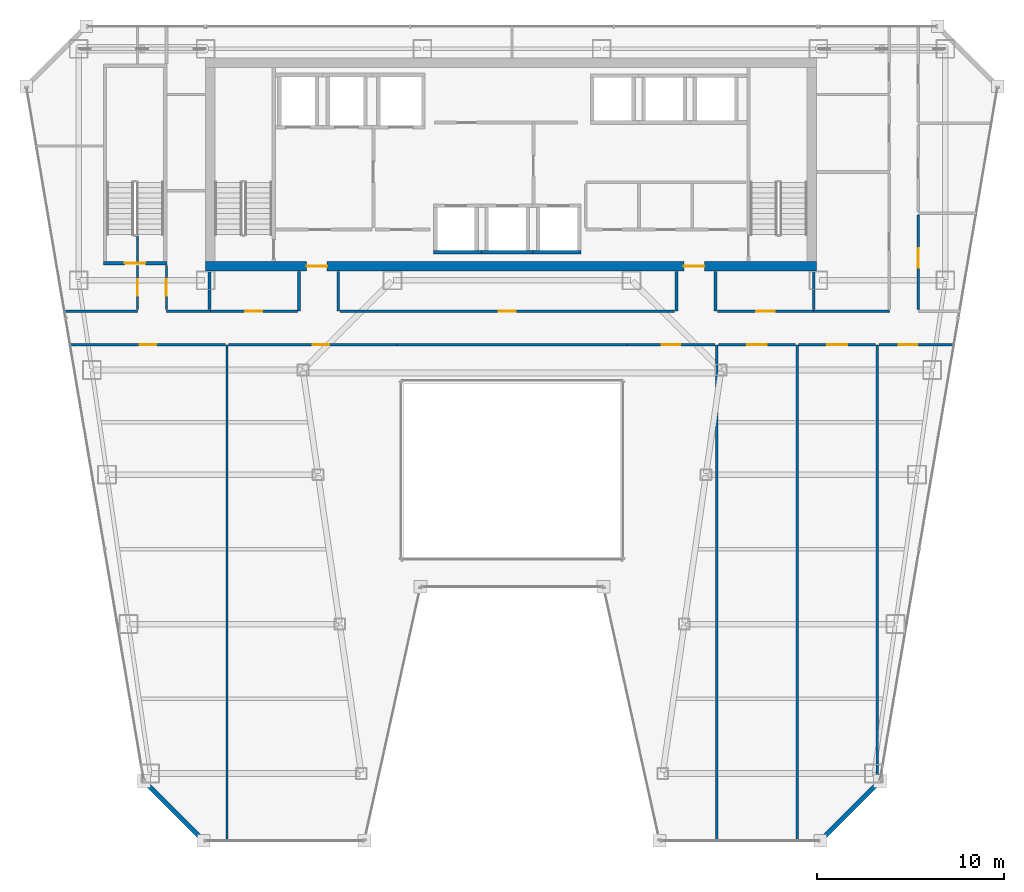
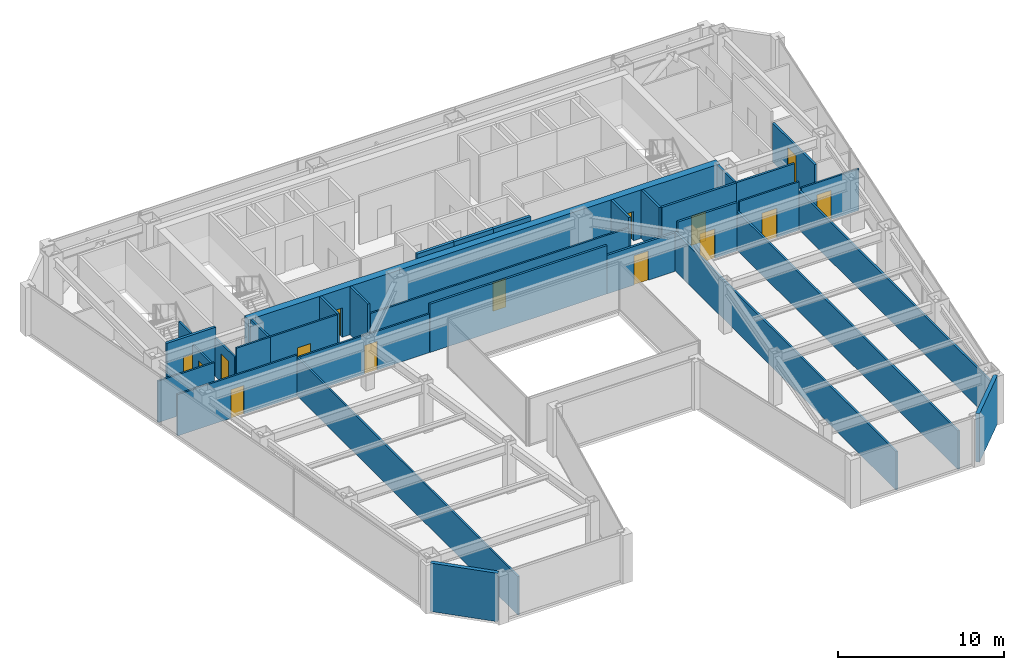
# One storey, part 30 of 36: 34 walls, 15 doors, 15 openings.
"""IFC4 building model written with IfcOpenShell, lengths in metres."""

from ifc_helpers import new_model, si_unit, direction, frame, frame_2d, origin, place, context, subcontext, project, spatial, rectangle, extrude, material, layer, layer_set, type_object, element, fill, save


model = new_model("IFC4")

# Units and contexts
model_context = context("Model", 3, precision=1e-05, world=origin(), true_north=direction((0.0, 1.0)))
body_context = subcontext(model_context, "Body", "Model", "MODEL_VIEW")
ifc_project = project(units=[si_unit("LENGTHUNIT", "METRE"), si_unit("AREAUNIT", "SQUARE_METRE"), si_unit("VOLUMEUNIT", "CUBIC_METRE"), si_unit("PLANEANGLEUNIT", "RADIAN"), si_unit("MASSUNIT", "GRAM", prefix="KILO")], contexts=[model_context])

# Site, building, storey
site_placement = place(None, origin())
site = spatial("IfcSite", under=ifc_project, at=site_placement, CompositionType="ELEMENT")
building_placement = place(site_placement, origin())
building = spatial("IfcBuilding", under=site, at=building_placement, Name="Saevonmaru Cultural Tower", CompositionType="ELEMENT")
storey_placement = place(building_placement, frame((0.0, 0.0, 171.39990234375)))
storey = spatial("IfcBuildingStorey", under=building, at=storey_placement, Name="L38", CompositionType="ELEMENT", Elevation=171.39990234375)

# Wall, openings, doors
ifc_material_1 = material(Name="Concrete C60/75", Category="concrete")
ifc_layer_1 = layer(ifc_material_1, 0.5, Name="Concrete C60/75")
ifc_layer_set_1 = layer_set([ifc_layer_1], Name="Concrete C60/75")
wall_type_1 = type_object("IfcWallType", Name="WL-CORE-500", PredefinedType="SHEAR", material=ifc_layer_set_1)
wall_1_placement = place(storey_placement, frame((13.60009765625, 43.14990234375, 0.0), z_axis=(0.0, 0.0, 1.0), x_axis=(1.0, 0.0, 0.0)))
wall_1 = element("IfcWall", 1, at=wall_1_placement, inside=storey, type_object=wall_type_1, Name="L38 Tower RC core shear wall S", PredefinedType="SHEAR", context=body_context, shape_type="SweptSolid", body=[
    extrude(rectangle(XDim=32.699951171875, YDim=0.5, at=frame_2d((16.35009765625, 0.0))), origin(), (0.0, 0.0, 1.0), 3.550048828125),
])
opening_1_placement = place(wall_1_placement, frame((5.39990234375, 0.0, 0.0)))
opening_1 = element("IfcOpeningElement", 2, at=opening_1_placement, cuts=wall_1, Name="Opening FD-2", PredefinedType="OPENING", context=body_context, shape_type="SweptSolid", body=[
    extrude(rectangle(XDim=1.10009765625, YDim=2.14990234375, at=frame_2d((0.550048828125, 1.074951171875))), frame((0.0, 0.260009765625, 0.0), z_axis=(0.0, -1.0, 0.0), x_axis=(1.0, 0.0, 0.0)), (0.0, 0.0, 1.0), 0.52001953125),
])
opening_2_placement = place(wall_1_placement, frame((25.60009765625, 0.0, 0.0)))
opening_2 = element("IfcOpeningElement", 3, at=opening_2_placement, cuts=wall_1, Name="Opening FD-2", PredefinedType="OPENING", context=body_context, shape_type="SweptSolid", body=[
    extrude(rectangle(XDim=1.10009765625, YDim=2.14990234375, at=frame_2d((0.550048828125, 1.074951171875))), frame((0.0, 0.260009765625, 0.0), z_axis=(0.0, -1.0, 0.0), x_axis=(1.0, 0.0, 0.0)), (0.0, 0.0, 1.0), 0.52001953125),
])
ifc_material_2 = material(Name="Satin Bronze Anodised Aluminium", Category="aluminium")
door_type_1 = type_object("IfcDoorType", Name="DR-FD60-1100", OperationType="SINGLE_SWING_LEFT", PredefinedType="DOOR", material=ifc_material_2)
door_1_placement = place(opening_1_placement, origin())
door_1 = element("IfcDoor", 4, at=door_1_placement, inside=storey, type_object=door_type_1, Name="L38 Core West Lobby Fire Door", OperationType="SINGLE_SWING_LEFT", OverallHeight=2.14990234375, OverallWidth=1.10009765625, PredefinedType="DOOR", context=body_context, shape_type="SweptSolid", body=[
    extrude(rectangle(XDim=1.10009765625, YDim=2.14990234375, at=frame_2d((0.550048828125, 1.074951171875))), frame((0.0, 0.02490234375, 0.0), z_axis=(0.0, -1.0, 0.0), x_axis=(1.0, 0.0, 0.0)), (0.0, 0.0, 1.0), 0.050048828125),
])
fill(opening_1, door_1)
door_2_placement = place(opening_2_placement, origin())
door_2 = element("IfcDoor", 5, at=door_2_placement, inside=storey, type_object=door_type_1, Name="L38 Core East Lobby Fire Door", OperationType="SINGLE_SWING_LEFT", OverallHeight=2.14990234375, OverallWidth=1.10009765625, PredefinedType="DOOR", context=body_context, shape_type="SweptSolid", body=[
    extrude(rectangle(XDim=1.10009765625, YDim=2.14990234375, at=frame_2d((0.550048828125, 1.074951171875))), frame((0.0, 0.02490234375, 0.0), z_axis=(0.0, -1.0, 0.0), x_axis=(1.0, 0.0, 0.0)), (0.0, 0.0, 1.0), 0.050048828125),
])
fill(opening_2, door_2)

# Walls
ifc_material_3 = material(Name="Granite-Clad Precast Concrete C40/50", Category="masonry")
ifc_layer_2 = layer(ifc_material_3, 0.260009765625, Name="Granite-Clad Precast Concrete C40/50")
ifc_layer_set_2 = layer_set([ifc_layer_2], Name="Granite-Clad Precast Concrete C40/50")
wall_type_2 = type_object("IfcWallType", Name="WL-EXT-SPANDREL-260", PredefinedType="STANDARD", material=ifc_layer_set_2)
for number, where, z_axis, x_axis, name in (
    (6, (10.410888671875, 15.48681640625, 0.0), (0.0, 0.0, 1.0), (0.707135806771, -0.70707775441, 0.0), "L38 Chamfer Corner Spandrel Wall E1"),
    (7, (46.615234375, 12.51318359375, 0.0), (0.0, 0.0, 1.0), (0.707135806771, 0.70707775441, 0.0), "L38 Chamfer Corner Spandrel Wall E7"),
):
    element("IfcWall", number, at=place(storey_placement, frame(where, z_axis=z_axis, x_axis=x_axis)), inside=storey, type_object=wall_type_2, Name=name, PredefinedType="STANDARD", context=body_context, shape_type="SweptSolid", body=[
        extrude(rectangle(XDim=4.20556640625, YDim=0.260009765625, at=frame_2d((2.102783203125, 0.0))), origin(), (0.0, 0.0, 1.0), 3.550048828125),
    ])

# Wall, opening, door
ifc_material_4 = material(Name="Gypsum Fireboard Partition", Category="gypsum")
ifc_layer_3 = layer(ifc_material_4, 0.14990234375, Name="Gypsum Fireboard Partition")
ifc_layer_set_3 = layer_set([ifc_layer_3], Name="Gypsum Fireboard Partition")
wall_type_3 = type_object("IfcWallType", Name="WL-PART-FIRE-150", PredefinedType="PARTITIONING", material=ifc_layer_set_3)
wall_2_placement = place(storey_placement, frame((51.75, 40.83740234375, 0.0), z_axis=(0.0, 0.0, 1.0), x_axis=(0.0, 1.0, 0.0)))
wall_2 = element("IfcWall", 8, at=wall_2_placement, inside=storey, type_object=wall_type_3, Name="L38 Visual Arts Critique Gallery Corridor Wall", PredefinedType="PARTITIONING", context=body_context, shape_type="SweptSolid", body=[
    extrude(rectangle(XDim=5.0751953125, YDim=0.14990234375, at=frame_2d((2.53759765625, 0.0))), origin(), (0.0, 0.0, 1.0), 2.835205078125),
])
opening_3_placement = place(wall_2_placement, frame((2.23291015625, 0.0, 0.0)))
opening_3 = element("IfcOpeningElement", 9, at=opening_3_placement, cuts=wall_2, Name="Opening ID-1", PredefinedType="OPENING", context=body_context, shape_type="SweptSolid", body=[
    extrude(rectangle(XDim=1.050048828125, YDim=2.14990234375, at=frame_2d((0.52490234375, 1.074951171875))), frame((0.0, 0.0849609375, 0.0), z_axis=(0.0, -1.0, 0.0), x_axis=(1.0, 0.0, 0.0)), (0.0, 0.0, 1.0), 0.169921875),
])
door_type_2 = type_object("IfcDoorType", Name="DR-INT-1050", OperationType="SINGLE_SWING_LEFT", PredefinedType="DOOR", material=ifc_material_2)
door_3_placement = place(opening_3_placement, origin())
door_3 = element("IfcDoor", 10, at=door_3_placement, inside=storey, type_object=door_type_2, Name="L38 Visual Arts Critique Gallery Door", OperationType="SINGLE_SWING_LEFT", OverallHeight=2.14990234375, OverallWidth=1.050048828125, PredefinedType="DOOR", context=body_context, shape_type="SweptSolid", body=[
    extrude(rectangle(XDim=1.050048828125, YDim=2.14990234375, at=frame_2d((0.52490234375, 1.074951171875))), frame((0.0, 0.02490234375, 0.0), z_axis=(0.0, -1.0, 0.0), x_axis=(1.0, 0.0, 0.0)), (0.0, 0.0, 1.0), 0.050048828125),
])
fill(opening_3, door_3)

# Walls
wall_3_placement = place(storey_placement, frame((13.800048828125, 40.830078125, 0.0), z_axis=(0.0, 0.0, 1.0), x_axis=(0.0, 1.0, 0.0)))
element("IfcWall", 11, at=wall_3_placement, inside=storey, type_object=wall_type_3, Name="L38 Core Portal Side Wall W0", PredefinedType="PARTITIONING", context=body_context, shape_type="SweptSolid", body=[
    extrude(rectangle(XDim=2.0498046875, YDim=0.14990234375, at=frame_2d((1.02490234375, 0.0))), origin(), (0.0, 0.0, 1.0), 3.550048828125),
])
for number, where, z_axis, x_axis, name in (
    (12, (18.60009765625, 40.75, 0.0), (0.0, 0.0, 1.0), (0.0, 1.0, 0.0), "L38 Core Portal Side Wall W1"),
    (13, (20.699951171875, 40.75, 0.0), (0.0, 0.0, 1.0), (0.0, 1.0, 0.0), "L38 Core Portal Side Wall W2"),
    (14, (38.800048828125, 40.75, 0.0), (0.0, 0.0, 1.0), (0.0, 1.0, 0.0), "L38 Core Portal Side Wall E1"),
    (15, (40.89990234375, 40.75, 0.0), (0.0, 0.0, 1.0), (0.0, 1.0, 0.0), "L38 Core Portal Side Wall E2"),
):
    element("IfcWall", number, at=place(storey_placement, frame(where, z_axis=z_axis, x_axis=x_axis)), inside=storey, type_object=wall_type_3, Name=name, PredefinedType="PARTITIONING", context=body_context, shape_type="SweptSolid", body=[
        extrude(rectangle(XDim=2.1298828125, YDim=0.14990234375, at=frame_2d((1.06494140625, 0.0))), origin(), (0.0, 0.0, 1.0), 3.550048828125),
    ])

# Wall, opening, door
wall_4_placement = place(storey_placement, frame((40.9951171875, 40.75, 0.0), z_axis=(0.0, 0.0, 1.0), x_axis=(1.0, 0.0, 0.0)))
wall_4 = element("IfcWall", 16, at=wall_4_placement, inside=storey, type_object=wall_type_3, Name="L38 Media Screening Auditorium Corridor Wall", PredefinedType="PARTITIONING", context=body_context, shape_type="SweptSolid", body=[
    extrude(rectangle(XDim=5.15478515625, YDim=0.14990234375, at=frame_2d((2.577392578125, 0.0))), origin(), (0.0, 0.0, 1.0), 3.550048828125),
])
opening_4_placement = place(wall_4_placement, frame((2.077880859375, 0.0, 0.0)))
opening_4 = element("IfcOpeningElement", 17, at=opening_4_placement, cuts=wall_4, Name="Opening ID-1B", PredefinedType="OPENING", context=body_context, shape_type="SweptSolid", body=[
    extrude(rectangle(XDim=1.0, YDim=2.14990234375, at=frame_2d((0.5, 1.074951171875))), frame((0.0, 0.0849609375, 0.0), z_axis=(0.0, -1.0, 0.0), x_axis=(1.0, 0.0, 0.0)), (0.0, 0.0, 1.0), 0.169921875),
])
ifc_material_5 = material(Name="Acoustic Stained Oak Timber", Category="wood")
door_type_3 = type_object("IfcDoorType", Name="DR-INT-1000", OperationType="SINGLE_SWING_RIGHT", PredefinedType="DOOR", material=ifc_material_5)
door_4_placement = place(opening_4_placement, origin())
door_4 = element("IfcDoor", 18, at=door_4_placement, inside=storey, type_object=door_type_3, Name="L38 Media Screening Auditorium Door", OperationType="SINGLE_SWING_RIGHT", OverallHeight=2.14990234375, OverallWidth=1.0, PredefinedType="DOOR", context=body_context, shape_type="SweptSolid", body=[
    extrude(rectangle(XDim=1.0, YDim=2.14990234375, at=frame_2d((0.5, 1.074951171875))), frame((0.0, 0.02490234375, 0.0), z_axis=(0.0, -1.0, 0.0), x_axis=(1.0, 0.0, 0.0)), (0.0, 0.0, 1.0), 0.050048828125),
])
fill(opening_4, door_4)

# Wall
wall_5_placement = place(storey_placement, frame((23.85009765625, 38.949951171875, 0.0), z_axis=(0.0, 0.0, 1.0), x_axis=(1.0, 0.0, 0.0)))
element("IfcWall", 19, at=wall_5_placement, inside=storey, type_object=wall_type_3, Name="L38 North Atrium Corridor Wall", PredefinedType="PARTITIONING", context=body_context, shape_type="SweptSolid", body=[
    extrude(rectangle(XDim=12.2998046875, YDim=0.14990234375, at=frame_2d((6.14990234375, 0.0))), origin(), (0.0, 0.0, 1.0), 3.550048828125),
])

# Wall, opening, door
wall_6_placement = place(storey_placement, frame((36.14990234375, 38.949951171875, 0.0), z_axis=(0.0, 0.0, 1.0), x_axis=(1.0, 0.0, 0.0)))
wall_6 = element("IfcWall", 20, at=wall_6_placement, inside=storey, type_object=wall_type_3, Name="L38 Media Screening Auditorium Corridor Wall", PredefinedType="PARTITIONING", context=body_context, shape_type="SweptSolid", body=[
    extrude(rectangle(XDim=4.72265625, YDim=0.14990234375, at=frame_2d((2.361328125, 0.0))), origin(), (0.0, 0.0, 1.0), 2.835205078125),
])
opening_5_placement = place(wall_6_placement, frame((1.861083984375, 0.0, 0.0)))
opening_5 = element("IfcOpeningElement", 21, at=opening_5_placement, cuts=wall_6, Name="Opening ID-1B", PredefinedType="OPENING", context=body_context, shape_type="SweptSolid", body=[
    extrude(rectangle(XDim=1.0, YDim=2.14990234375, at=frame_2d((0.5, 1.074951171875))), frame((0.0, 0.0849609375, 0.0), z_axis=(0.0, -1.0, 0.0), x_axis=(1.0, 0.0, 0.0)), (0.0, 0.0, 1.0), 0.169921875),
])
door_5_placement = place(opening_5_placement, origin())
door_5 = element("IfcDoor", 22, at=door_5_placement, inside=storey, type_object=door_type_3, Name="L38 Media Screening Auditorium Door", OperationType="SINGLE_SWING_LEFT", OverallHeight=2.14990234375, OverallWidth=1.0, PredefinedType="DOOR", context=body_context, shape_type="SweptSolid", body=[
    extrude(rectangle(XDim=1.0, YDim=2.14990234375, at=frame_2d((0.5, 1.074951171875))), frame((0.0, 0.02490234375, 0.0), z_axis=(0.0, -1.0, 0.0), x_axis=(1.0, 0.0, 0.0)), (0.0, 0.0, 1.0), 0.050048828125),
])
fill(opening_5, door_5)

wall_7_placement = place(storey_placement, frame((41.047607421875, 38.949951171875, 0.0), z_axis=(0.0, 0.0, 1.0), x_axis=(1.0, 0.0, 0.0)))
wall_7 = element("IfcWall", 23, at=wall_7_placement, inside=storey, type_object=wall_type_3, Name="L38 Visual Arts Critique Gallery Corridor Wall", PredefinedType="PARTITIONING", context=body_context, shape_type="SweptSolid", body=[
    extrude(rectangle(XDim=4.125, YDim=0.14990234375, at=frame_2d((2.0625, 0.0))), origin(), (0.0, 0.0, 1.0), 3.550048828125),
])
opening_6_placement = place(wall_7_placement, frame((1.5380859375, 0.0, 0.0)))
opening_6 = element("IfcOpeningElement", 24, at=opening_6_placement, cuts=wall_7, Name="Opening ID-1", PredefinedType="OPENING", context=body_context, shape_type="SweptSolid", body=[
    extrude(rectangle(XDim=1.050048828125, YDim=2.14990234375, at=frame_2d((0.52490234375, 1.074951171875))), frame((0.0, 0.0849609375, 0.0), z_axis=(0.0, -1.0, 0.0), x_axis=(1.0, 0.0, 0.0)), (0.0, 0.0, 1.0), 0.169921875),
])
door_6_placement = place(opening_6_placement, origin())
door_6 = element("IfcDoor", 25, at=door_6_placement, inside=storey, type_object=door_type_2, Name="L38 Visual Arts Critique Gallery Door", OperationType="SINGLE_SWING_RIGHT", OverallHeight=2.14990234375, OverallWidth=1.050048828125, PredefinedType="DOOR", context=body_context, shape_type="SweptSolid", body=[
    extrude(rectangle(XDim=1.050048828125, YDim=2.14990234375, at=frame_2d((0.52490234375, 1.074951171875))), frame((0.0, 0.02490234375, 0.0), z_axis=(0.0, -1.0, 0.0), x_axis=(1.0, 0.0, 0.0)), (0.0, 0.0, 1.0), 0.050048828125),
])
fill(opening_6, door_6)

# Walls
ifc_layer_4 = layer(ifc_material_4, 0.1201171875, Name="Gypsum Fireboard Partition")
ifc_layer_set_4 = layer_set([ifc_layer_4], Name="Gypsum Fireboard Partition")
wall_type_4 = type_object("IfcWallType", Name="WL-PART-GYP-120", PredefinedType="PARTITIONING", material=ifc_layer_set_4)
wall_8_placement = place(storey_placement, frame((6.045166015625, 40.75, 0.0), z_axis=(0.0, 0.0, 1.0), x_axis=(1.0, 0.0, 0.0)))
element("IfcWall", 26, at=wall_8_placement, inside=storey, type_object=wall_type_4, Name="L38 NW Wing South Wall", PredefinedType="PARTITIONING", context=body_context, shape_type="SweptSolid", body=[
    extrude(rectangle(XDim=3.90478515625, YDim=0.1201171875, at=frame_2d((1.952392578125, 0.0))), origin(), (0.0, 0.0, 1.0), 3.03515625),
])
wall_9_placement = place(storey_placement, frame((11.5, 40.75, 0.0), z_axis=(0.0, 0.0, 1.0), x_axis=(1.0, 0.0, 0.0)))
element("IfcWall", 27, at=wall_9_placement, inside=storey, type_object=wall_type_4, Name="L38 NW Inner South Wall", PredefinedType="PARTITIONING", context=body_context, shape_type="SweptSolid", body=[
    extrude(rectangle(XDim=2.35009765625, YDim=0.1201171875, at=frame_2d((1.175048828125, 0.0))), origin(), (0.0, 0.0, 1.0), 3.550048828125),
])

# Wall, opening, door
wall_10_placement = place(storey_placement, frame((9.949951171875, 40.830078125, 0.0), z_axis=(0.0, 0.0, 1.0), x_axis=(0.0, 1.0, 0.0)))
wall_10 = element("IfcWall", 28, at=wall_10_placement, inside=storey, type_object=wall_type_4, Name="L38 Digital Media Classroom Corridor Wall", PredefinedType="PARTITIONING", context=body_context, shape_type="SweptSolid", body=[
    extrude(rectangle(XDim=2.369873046875, YDim=0.1201171875, at=frame_2d((1.18505859375, 0.0))), origin(), (0.0, 0.0, 1.0), 2.835205078125),
])
opening_7_placement = place(wall_10_placement, frame((0.735107421875, 0.0, 0.0)))
opening_7 = element("IfcOpeningElement", 29, at=opening_7_placement, cuts=wall_10, Name="Opening ID-2", PredefinedType="OPENING", context=body_context, shape_type="SweptSolid", body=[
    extrude(rectangle(XDim=0.89990234375, YDim=2.10009765625, at=frame_2d((0.449951171875, 1.050048828125))), frame((0.0, 0.070068359375, 0.0), z_axis=(0.0, -1.0, 0.0), x_axis=(1.0, 0.0, 0.0)), (0.0, 0.0, 1.0), 0.14013671875),
])
door_type_4 = type_object("IfcDoorType", Name="DR-INT-900", OperationType="SINGLE_SWING_RIGHT", PredefinedType="DOOR", material=ifc_material_5)
door_7_placement = place(opening_7_placement, origin())
door_7 = element("IfcDoor", 30, at=door_7_placement, inside=storey, type_object=door_type_4, Name="L38 Digital Media Classroom Door", OperationType="SINGLE_SWING_LEFT", OverallHeight=2.10009765625, OverallWidth=0.89990234375, PredefinedType="DOOR", context=body_context, shape_type="SweptSolid", body=[
    extrude(rectangle(XDim=0.89990234375, YDim=2.10009765625, at=frame_2d((0.449951171875, 1.050048828125))), frame((0.0, 0.02490234375, 0.0), z_axis=(0.0, -1.0, 0.0), x_axis=(1.0, 0.0, 0.0)), (0.0, 0.0, 1.0), 0.050048828125),
])
fill(opening_7, door_7)

# Wall
wall_11_placement = place(storey_placement, frame((9.949951171875, 43.419921875, 0.0), z_axis=(0.0, 0.0, 1.0), x_axis=(0.0, 1.0, 0.0)))
element("IfcWall", 31, at=wall_11_placement, inside=storey, type_object=wall_type_4, Name="L38 Digital Media Classroom Corridor Wall (2)", PredefinedType="PARTITIONING", context=body_context, shape_type="SweptSolid", body=[
    extrude(rectangle(XDim=1.4501953125, YDim=0.1201171875, at=frame_2d((0.72509765625, 0.0))), origin(), (0.0, 0.0, 1.0), 3.550048828125),
])

# Wall, opening, door
wall_12_placement = place(storey_placement, frame((11.5, 40.830078125, 0.0), z_axis=(0.0, 0.0, 1.0), x_axis=(0.0, 1.0, 0.0)))
wall_12 = element("IfcWall", 32, at=wall_12_placement, inside=storey, type_object=wall_type_4, Name="L38 Design Seminar Classroom Corridor Wall", PredefinedType="PARTITIONING", context=body_context, shape_type="SweptSolid", body=[
    extrude(rectangle(XDim=2.369873046875, YDim=0.1201171875, at=frame_2d((1.18505859375, 0.0))), origin(), (0.0, 0.0, 1.0), 2.835205078125),
])
opening_8_placement = place(wall_12_placement, frame((0.735107421875, 0.0, 0.0)))
opening_8 = element("IfcOpeningElement", 33, at=opening_8_placement, cuts=wall_12, Name="Opening ID-2", PredefinedType="OPENING", context=body_context, shape_type="SweptSolid", body=[
    extrude(rectangle(XDim=0.89990234375, YDim=2.10009765625, at=frame_2d((0.449951171875, 1.050048828125))), frame((0.0, 0.070068359375, 0.0), z_axis=(0.0, -1.0, 0.0), x_axis=(1.0, 0.0, 0.0)), (0.0, 0.0, 1.0), 0.14013671875),
])
door_8_placement = place(opening_8_placement, origin())
door_8 = element("IfcDoor", 34, at=door_8_placement, inside=storey, type_object=door_type_4, Name="L38 Design Seminar Classroom Door", OperationType="SINGLE_SWING_RIGHT", OverallHeight=2.10009765625, OverallWidth=0.89990234375, PredefinedType="DOOR", context=body_context, shape_type="SweptSolid", body=[
    extrude(rectangle(XDim=0.89990234375, YDim=2.10009765625, at=frame_2d((0.449951171875, 1.050048828125))), frame((0.0, 0.02490234375, 0.0), z_axis=(0.0, -1.0, 0.0), x_axis=(1.0, 0.0, 0.0)), (0.0, 0.0, 1.0), 0.050048828125),
])
fill(opening_8, door_8)

wall_13_placement = place(storey_placement, frame((13.85009765625, 40.75, 0.0), z_axis=(0.0, 0.0, 1.0), x_axis=(1.0, 0.0, 0.0)))
wall_13 = element("IfcWall", 35, at=wall_13_placement, inside=storey, type_object=wall_type_4, Name="L38 Digital Media Classroom Corridor Wall", PredefinedType="PARTITIONING", context=body_context, shape_type="SweptSolid", body=[
    extrude(rectangle(XDim=4.65478515625, YDim=0.1201171875, at=frame_2d((2.327392578125, 0.0))), origin(), (0.0, 0.0, 1.0), 3.550048828125),
])
opening_9_placement = place(wall_13_placement, frame((1.876953125, 0.0, 0.0)))
opening_9 = element("IfcOpeningElement", 36, at=opening_9_placement, cuts=wall_13, Name="Opening ID-2", PredefinedType="OPENING", context=body_context, shape_type="SweptSolid", body=[
    extrude(rectangle(XDim=0.89990234375, YDim=2.10009765625, at=frame_2d((0.449951171875, 1.050048828125))), frame((0.0, 0.070068359375, 0.0), z_axis=(0.0, -1.0, 0.0), x_axis=(1.0, 0.0, 0.0)), (0.0, 0.0, 1.0), 0.14013671875),
])
door_9_placement = place(opening_9_placement, origin())
door_9 = element("IfcDoor", 37, at=door_9_placement, inside=storey, type_object=door_type_4, Name="L38 Digital Media Classroom Door", OperationType="SINGLE_SWING_RIGHT", OverallHeight=2.10009765625, OverallWidth=0.89990234375, PredefinedType="DOOR", context=body_context, shape_type="SweptSolid", body=[
    extrude(rectangle(XDim=0.89990234375, YDim=2.10009765625, at=frame_2d((0.449951171875, 1.050048828125))), frame((0.0, 0.02490234375, 0.0), z_axis=(0.0, -1.0, 0.0), x_axis=(1.0, 0.0, 0.0)), (0.0, 0.0, 1.0), 0.050048828125),
])
fill(opening_9, door_9)

wall_14_placement = place(storey_placement, frame((20.794921875, 40.75, 0.0), z_axis=(0.0, 0.0, 1.0), x_axis=(1.0, 0.0, 0.0)))
wall_14 = element("IfcWall", 38, at=wall_14_placement, inside=storey, type_object=wall_type_4, Name="L38 Design Seminar Classroom Corridor Wall", PredefinedType="PARTITIONING", context=body_context, shape_type="SweptSolid", body=[
    extrude(rectangle(XDim=17.91015625, YDim=0.1201171875, at=frame_2d((8.955078125, 0.0))), origin(), (0.0, 0.0, 1.0), 2.835205078125),
])
opening_10_placement = place(wall_14_placement, frame((8.5048828125, 0.0, 0.0)))
opening_10 = element("IfcOpeningElement", 39, at=opening_10_placement, cuts=wall_14, Name="Opening ID-2", PredefinedType="OPENING", context=body_context, shape_type="SweptSolid", body=[
    extrude(rectangle(XDim=0.89990234375, YDim=2.10009765625, at=frame_2d((0.449951171875, 1.050048828125))), frame((0.0, 0.070068359375, 0.0), z_axis=(0.0, -1.0, 0.0), x_axis=(1.0, 0.0, 0.0)), (0.0, 0.0, 1.0), 0.14013671875),
])
door_10_placement = place(opening_10_placement, origin())
door_10 = element("IfcDoor", 40, at=door_10_placement, inside=storey, type_object=door_type_4, Name="L38 Design Seminar Classroom Door", OperationType="SINGLE_SWING_LEFT", OverallHeight=2.10009765625, OverallWidth=0.89990234375, PredefinedType="DOOR", context=body_context, shape_type="SweptSolid", body=[
    extrude(rectangle(XDim=0.89990234375, YDim=2.10009765625, at=frame_2d((0.449951171875, 1.050048828125))), frame((0.0, 0.02490234375, 0.0), z_axis=(0.0, -1.0, 0.0), x_axis=(1.0, 0.0, 0.0)), (0.0, 0.0, 1.0), 0.050048828125),
])
fill(opening_10, door_10)

# Wall
wall_15_placement = place(storey_placement, frame((14.739990234375, 12.405029296875, 0.0), z_axis=(0.0, 0.0, 1.0), x_axis=(0.0, 1.0, 0.0)))
element("IfcWall", 41, at=wall_15_placement, inside=storey, type_object=wall_type_4, Name="L38 West Bay Divider 1", PredefinedType="PARTITIONING", context=body_context, shape_type="SweptSolid", body=[
    extrude(rectangle(XDim=26.544921875, YDim=0.1201171875, at=frame_2d((13.2724609375, 0.0))), origin(), (0.0, 0.0, 1.0), 2.835205078125),
])

# Wall, opening, door
wall_16_placement = place(storey_placement, frame((6.36279296875, 38.949951171875, 0.0), z_axis=(0.0, 0.0, 1.0), x_axis=(1.0, 0.0, 0.0)))
wall_16 = element("IfcWall", 42, at=wall_16_placement, inside=storey, type_object=wall_type_4, Name="L38 Digital Media Classroom Corridor Wall", PredefinedType="PARTITIONING", context=body_context, shape_type="SweptSolid", body=[
    extrude(rectangle(XDim=8.297119140625, YDim=0.1201171875, at=frame_2d((4.1484375, 0.0))), origin(), (0.0, 0.0, 1.0), 3.03515625),
])
opening_11_placement = place(wall_16_placement, frame((3.698974609375, 0.0, 0.0)))
opening_11 = element("IfcOpeningElement", 43, at=opening_11_placement, cuts=wall_16, Name="Opening ID-2", PredefinedType="OPENING", context=body_context, shape_type="SweptSolid", body=[
    extrude(rectangle(XDim=0.89990234375, YDim=2.10009765625, at=frame_2d((0.449951171875, 1.050048828125))), frame((0.0, 0.070068359375, 0.0), z_axis=(0.0, -1.0, 0.0), x_axis=(1.0, 0.0, 0.0)), (0.0, 0.0, 1.0), 0.14013671875),
])
door_11_placement = place(opening_11_placement, origin())
door_11 = element("IfcDoor", 44, at=door_11_placement, inside=storey, type_object=door_type_4, Name="L38 Digital Media Classroom Door", OperationType="SINGLE_SWING_LEFT", OverallHeight=2.10009765625, OverallWidth=0.89990234375, PredefinedType="DOOR", context=body_context, shape_type="SweptSolid", body=[
    extrude(rectangle(XDim=0.89990234375, YDim=2.10009765625, at=frame_2d((0.449951171875, 1.050048828125))), frame((0.0, 0.02490234375, 0.0), z_axis=(0.0, -1.0, 0.0), x_axis=(1.0, 0.0, 0.0)), (0.0, 0.0, 1.0), 0.050048828125),
])
fill(opening_11, door_11)

wall_17_placement = place(storey_placement, frame((14.820068359375, 38.949951171875, 0.0), z_axis=(0.0, 0.0, 1.0), x_axis=(1.0, 0.0, 0.0)))
wall_17 = element("IfcWall", 45, at=wall_17_placement, inside=storey, type_object=wall_type_4, Name="L38 Design Seminar Classroom Corridor Wall", PredefinedType="PARTITIONING", context=body_context, shape_type="SweptSolid", body=[
    extrude(rectangle(XDim=9.030029296875, YDim=0.1201171875, at=frame_2d((4.51513671875, 0.0))), origin(), (0.0, 0.0, 1.0), 2.835205078125),
])
opening_12_placement = place(wall_17_placement, frame((4.5048828125, 0.0, 0.0)))
opening_12 = element("IfcOpeningElement", 46, at=opening_12_placement, cuts=wall_17, Name="Opening ID-2", PredefinedType="OPENING", context=body_context, shape_type="SweptSolid", body=[
    extrude(rectangle(XDim=0.89990234375, YDim=2.10009765625, at=frame_2d((0.449951171875, 1.050048828125))), frame((0.0, 0.070068359375, 0.0), z_axis=(0.0, -1.0, 0.0), x_axis=(1.0, 0.0, 0.0)), (0.0, 0.0, 1.0), 0.14013671875),
])
door_12_placement = place(opening_12_placement, origin())
door_12 = element("IfcDoor", 47, at=door_12_placement, inside=storey, type_object=door_type_4, Name="L38 Design Seminar Classroom Door", OperationType="SINGLE_SWING_RIGHT", OverallHeight=2.10009765625, OverallWidth=0.89990234375, PredefinedType="DOOR", context=body_context, shape_type="SweptSolid", body=[
    extrude(rectangle(XDim=0.89990234375, YDim=2.10009765625, at=frame_2d((0.449951171875, 1.050048828125))), frame((0.0, 0.02490234375, 0.0), z_axis=(0.0, -1.0, 0.0), x_axis=(1.0, 0.0, 0.0)), (0.0, 0.0, 1.0), 0.050048828125),
])
fill(opening_12, door_12)

wall_18_placement = place(storey_placement, frame((45.347412109375, 38.949951171875, 0.0), z_axis=(0.0, 0.0, 1.0), x_axis=(1.0, 0.0, 0.0)))
wall_18 = element("IfcWall", 48, at=wall_18_placement, inside=storey, type_object=wall_type_4, Name="L38 Cartographic Study Library Corridor Wall", PredefinedType="PARTITIONING", context=body_context, shape_type="SweptSolid", body=[
    extrude(rectangle(XDim=4.125, YDim=0.1201171875, at=frame_2d((2.0625, 0.0))), origin(), (0.0, 0.0, 1.0), 3.550048828125),
])
opening_13_placement = place(wall_18_placement, frame((1.5380859375, 0.0, 0.0)))
opening_13 = element("IfcOpeningElement", 49, at=opening_13_placement, cuts=wall_18, Name="Opening ID-1", PredefinedType="OPENING", context=body_context, shape_type="SweptSolid", body=[
    extrude(rectangle(XDim=1.050048828125, YDim=2.14990234375, at=frame_2d((0.52490234375, 1.074951171875))), frame((0.0, 0.070068359375, 0.0), z_axis=(0.0, -1.0, 0.0), x_axis=(1.0, 0.0, 0.0)), (0.0, 0.0, 1.0), 0.14013671875),
])
door_13_placement = place(opening_13_placement, origin())
door_13 = element("IfcDoor", 50, at=door_13_placement, inside=storey, type_object=door_type_2, Name="L38 Cartographic Study Library Door", OperationType="SINGLE_SWING_LEFT", OverallHeight=2.14990234375, OverallWidth=1.050048828125, PredefinedType="DOOR", context=body_context, shape_type="SweptSolid", body=[
    extrude(rectangle(XDim=1.050048828125, YDim=2.14990234375, at=frame_2d((0.52490234375, 1.074951171875))), frame((0.0, 0.02490234375, 0.0), z_axis=(0.0, -1.0, 0.0), x_axis=(1.0, 0.0, 0.0)), (0.0, 0.0, 1.0), 0.050048828125),
])
fill(opening_13, door_13)

wall_19_placement = place(storey_placement, frame((49.6474609375, 38.949951171875, 0.0), z_axis=(0.0, 0.0, 1.0), x_axis=(1.0, 0.0, 0.0)))
wall_19 = element("IfcWall", 51, at=wall_19_placement, inside=storey, type_object=wall_type_4, Name="L38 Panoramic Salon Restaurant Corridor Wall", PredefinedType="PARTITIONING", context=body_context, shape_type="SweptSolid", body=[
    extrude(rectangle(XDim=3.98974609375, YDim=0.1201171875, at=frame_2d((1.994873046875, 0.0))), origin(), (0.0, 0.0, 1.0), 3.03515625),
])
opening_14_placement = place(wall_19_placement, frame((1.054931640625, 0.0, 0.0)))
opening_14 = element("IfcOpeningElement", 52, at=opening_14_placement, cuts=wall_19, Name="Opening ID-1B", PredefinedType="OPENING", context=body_context, shape_type="SweptSolid", body=[
    extrude(rectangle(XDim=1.0, YDim=2.14990234375, at=frame_2d((0.5, 1.074951171875))), frame((0.0, 0.070068359375, 0.0), z_axis=(0.0, -1.0, 0.0), x_axis=(1.0, 0.0, 0.0)), (0.0, 0.0, 1.0), 0.14013671875),
])
door_14_placement = place(opening_14_placement, origin())
door_14 = element("IfcDoor", 53, at=door_14_placement, inside=storey, type_object=door_type_3, Name="L38 Panoramic Salon Restaurant Door", OperationType="SINGLE_SWING_RIGHT", OverallHeight=2.14990234375, OverallWidth=1.0, PredefinedType="DOOR", context=body_context, shape_type="SweptSolid", body=[
    extrude(rectangle(XDim=1.0, YDim=2.14990234375, at=frame_2d((0.5, 1.074951171875))), frame((0.0, 0.02490234375, 0.0), z_axis=(0.0, -1.0, 0.0), x_axis=(1.0, 0.0, 0.0)), (0.0, 0.0, 1.0), 0.050048828125),
])
fill(opening_14, door_14)

# Walls
ifc_layer_5 = layer(ifc_material_4, 0.135009765625, Name="Gypsum Fireboard Partition")
ifc_layer_set_5 = layer_set([ifc_layer_5], Name="Gypsum Fireboard Partition")
wall_type_5 = type_object("IfcWallType", Name="WL-PART-GYP-135", PredefinedType="PARTITIONING", material=ifc_layer_set_5)
for number, where, z_axis, x_axis, name in (
    (54, (40.9599609375, 12.405029296875, 0.0), (0.0, 0.0, 1.0), (0.0, 1.0, 0.0), "L38 East Bay Divider 1"),
    (55, (45.260009765625, 12.405029296875, 0.0), (0.0, 0.0, 1.0), (0.0, 1.0, 0.0), "L38 East Bay Divider 2"),
):
    element("IfcWall", number, at=place(storey_placement, frame(where, z_axis=z_axis, x_axis=x_axis)), inside=storey, type_object=wall_type_5, Name=name, PredefinedType="PARTITIONING", context=body_context, shape_type="SweptSolid", body=[
        extrude(rectangle(XDim=26.544921875, YDim=0.135009765625, at=frame_2d((13.2724609375, 0.0))), origin(), (0.0, 0.0, 1.0), 2.835205078125),
    ])
wall_20_placement = place(storey_placement, frame((49.56005859375, 15.51611328125, 0.0), z_axis=(0.0, 0.0, 1.0), x_axis=(0.0, 1.0, 0.0)))
element("IfcWall", 56, at=wall_20_placement, inside=storey, type_object=wall_type_5, Name="L38 East Bay Divider 3", PredefinedType="PARTITIONING", context=body_context, shape_type="SweptSolid", body=[
    extrude(rectangle(XDim=23.433837890625, YDim=0.135009765625, at=frame_2d((11.716796875, 0.0))), origin(), (0.0, 0.0, 1.0), 2.835205078125),
])
ifc_layer_6 = layer(ifc_material_4, 0.139892578125, Name="Gypsum Fireboard Partition")
ifc_layer_set_6 = layer_set([ifc_layer_6], Name="Gypsum Fireboard Partition")
wall_type_6 = type_object("IfcWallType", Name="WL-PART-WET-140", PredefinedType="PARTITIONING", material=ifc_layer_set_6)
wall_21_placement = place(storey_placement, frame((46.14990234375, 40.75, 0.0), z_axis=(0.0, 0.0, 1.0), x_axis=(1.0, 0.0, 0.0)))
element("IfcWall", 57, at=wall_21_placement, inside=storey, type_object=wall_type_6, Name="L38 Washroom South Wall", PredefinedType="PARTITIONING", context=body_context, shape_type="SweptSolid", body=[
    extrude(rectangle(XDim=4.050048828125, YDim=0.139892578125, at=frame_2d((2.02490234375, 0.0))), origin(), (0.0, 0.0, 1.0), 3.550048828125),
])
wall_22_placement = place(storey_placement, frame((46.14990234375, 40.840087890625, 0.0), z_axis=(0.0, 0.0, 1.0), x_axis=(0.0, 1.0, 0.0)))
element("IfcWall", 58, at=wall_22_placement, inside=storey, type_object=wall_type_6, Name="L38 Washroom South-West Return", PredefinedType="PARTITIONING", context=body_context, shape_type="SweptSolid", body=[
    extrude(rectangle(XDim=2.039794921875, YDim=0.139892578125, at=frame_2d((1.02001953125, 0.0))), origin(), (0.0, 0.0, 1.0), 3.550048828125),
])
ifc_material_6 = material(Name="Concrete C40/50", Category="concrete")
ifc_layer_7 = layer(ifc_material_6, 0.199951171875, Name="Concrete C40/50")
ifc_layer_set_7 = layer_set([ifc_layer_7], Name="Concrete C40/50")
wall_type_7 = type_object("IfcWallType", Name="WL-SHAFT-200", PredefinedType="SHEAR", material=ifc_layer_set_7)
wall_23_placement = place(storey_placement, frame((25.800048828125, 43.89990234375, 0.0), z_axis=(0.0, 0.0, 1.0), x_axis=(1.0, 0.0, 0.0)))
element("IfcWall", 59, at=wall_23_placement, inside=storey, type_object=wall_type_7, Name="L38 Lift PL-M1 Hoistway Wall S", PredefinedType="SHEAR", context=body_context, shape_type="SweptSolid", body=[
    extrude(rectangle(XDim=2.574951171875, YDim=0.199951171875, at=frame_2d((1.28759765625, 0.0))), origin(), (0.0, 0.0, 1.0), 3.550048828125),
])
wall_24_placement = place(storey_placement, frame((28.375, 43.89990234375, 0.0), z_axis=(0.0, 0.0, 1.0), x_axis=(1.0, 0.0, 0.0)))
element("IfcWall", 60, at=wall_24_placement, inside=storey, type_object=wall_type_7, Name="L38 Lift PL-M2 Hoistway Wall S", PredefinedType="SHEAR", context=body_context, shape_type="SweptSolid", body=[
    extrude(rectangle(XDim=2.75, YDim=0.199951171875, at=frame_2d((1.375, 0.0))), origin(), (0.0, 0.0, 1.0), 3.550048828125),
])
wall_25_placement = place(storey_placement, frame((31.125, 43.89990234375, 0.0), z_axis=(0.0, 0.0, 1.0), x_axis=(1.0, 0.0, 0.0)))
element("IfcWall", 61, at=wall_25_placement, inside=storey, type_object=wall_type_7, Name="L38 Lift PL-M3 Hoistway Wall S", PredefinedType="SHEAR", context=body_context, shape_type="SweptSolid", body=[
    extrude(rectangle(XDim=2.574951171875, YDim=0.199951171875, at=frame_2d((1.28759765625, 0.0))), origin(), (0.0, 0.0, 1.0), 3.550048828125),
])

# Wall, opening, door
ifc_layer_8 = layer(ifc_material_6, 0.179931640625, Name="Concrete C40/50")
ifc_layer_set_8 = layer_set([ifc_layer_8], Name="Concrete C40/50")
wall_type_8 = type_object("IfcWallType", Name="WL-STSHAFT-180", PredefinedType="SHEAR", material=ifc_layer_set_8)
wall_26_placement = place(storey_placement, frame((8.1201171875, 43.31005859375, 0.0), z_axis=(0.0, 0.0, 1.0), x_axis=(1.0, 0.0, 0.0)))
wall_26 = element("IfcWall", 62, at=wall_26_placement, inside=storey, type_object=wall_type_8, Name="L38 Stair ST-3 Structural Shaft Wall 1", PredefinedType="SHEAR", context=body_context, shape_type="SweptSolid", body=[
    extrude(rectangle(XDim=3.409912109375, YDim=0.179931640625, at=frame_2d((1.705078125, 0.0))), origin(), (0.0, 0.0, 1.0), 3.550048828125),
])
opening_15_placement = place(wall_26_placement, frame((1.14990234375, 0.0, 0.0)))
opening_15 = element("IfcOpeningElement", 63, at=opening_15_placement, cuts=wall_26, Name="Opening FD-2", PredefinedType="OPENING", context=body_context, shape_type="SweptSolid", body=[
    extrude(rectangle(XDim=1.10009765625, YDim=2.14990234375, at=frame_2d((0.550048828125, 1.074951171875))), frame((0.0, 0.10009765625, 0.0), z_axis=(0.0, -1.0, 0.0), x_axis=(1.0, 0.0, 0.0)), (0.0, 0.0, 1.0), 0.199951171875),
])
door_15_placement = place(opening_15_placement, origin())
door_15 = element("IfcDoor", 64, at=door_15_placement, inside=storey, type_object=door_type_1, Name="L38 Protected Stair ST-3 Fire Door", OperationType="SINGLE_SWING_LEFT", OverallHeight=2.14990234375, OverallWidth=1.10009765625, PredefinedType="DOOR", context=body_context, shape_type="SweptSolid", body=[
    extrude(rectangle(XDim=1.10009765625, YDim=2.14990234375, at=frame_2d((0.550048828125, 1.074951171875))), frame((0.0, 0.02490234375, 0.0), z_axis=(0.0, -1.0, 0.0), x_axis=(1.0, 0.0, 0.0)), (0.0, 0.0, 1.0), 0.050048828125),
])
fill(opening_15, door_15)

save(model, "model.ifc")
